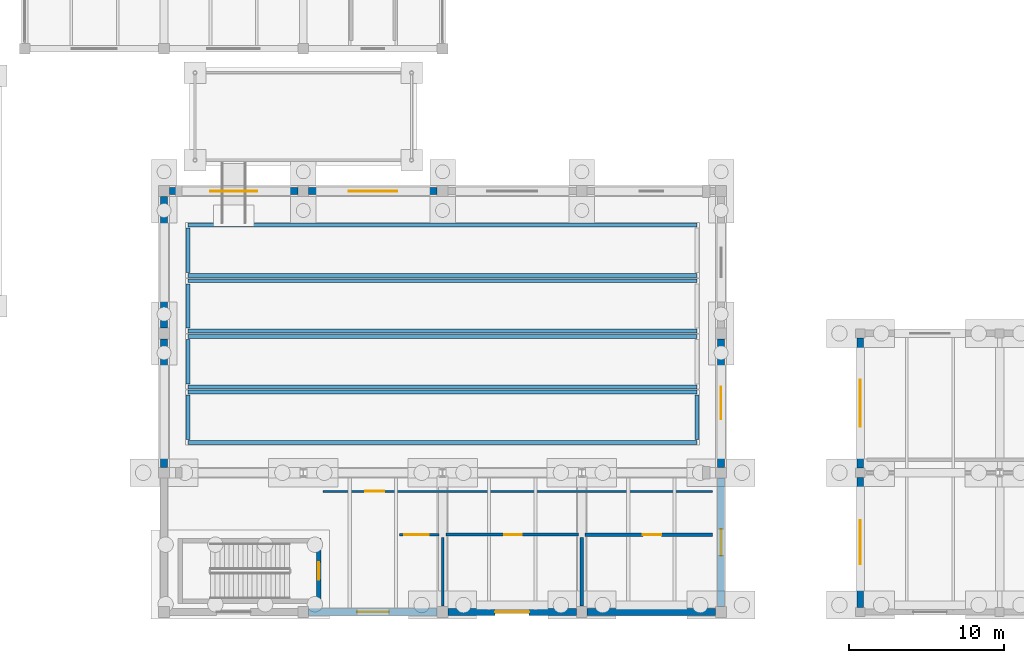
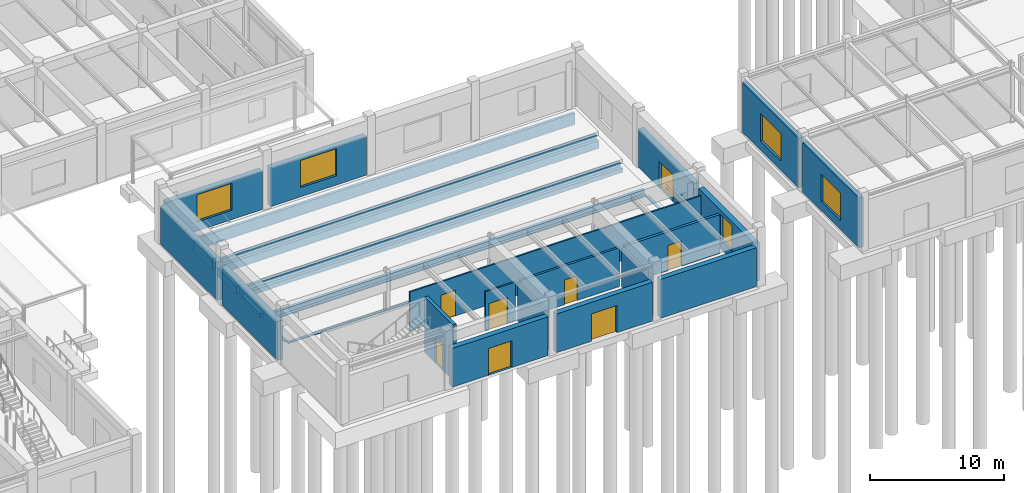
# One storey, part 56 of 76: 31 walls, 8 doors, 5 windows, 13 openings.
"""IFC4 building model written with IfcOpenShell, lengths in metres."""

from ifc_helpers import new_model, si_unit, direction, frame, frame_2d, origin, place, context, subcontext, project, spatial, rectangle, extrude, material, layer, layer_set, type_object, element, fill, save


model = new_model("IFC4")

# Units and contexts
model_context = context("Model", 3, precision=1e-05, world=origin(), true_north=direction((0.0, 1.0)))
body_context = subcontext(model_context, "Body", "Model", "MODEL_VIEW")
ifc_project = project(units=[si_unit("LENGTHUNIT", "METRE"), si_unit("AREAUNIT", "SQUARE_METRE"), si_unit("VOLUMEUNIT", "CUBIC_METRE"), si_unit("PLANEANGLEUNIT", "RADIAN"), si_unit("MASSUNIT", "GRAM", prefix="KILO")], contexts=[model_context])

# Site, building, storey
site_placement = place(None, origin())
site = spatial("IfcSite", under=ifc_project, at=site_placement, CompositionType="ELEMENT")
building_placement = place(site_placement, origin())
building = spatial("IfcBuilding", under=site, at=building_placement, Name="Bozkorgan Art Gallery", CompositionType="ELEMENT")
storey_placement = place(building_placement, origin())
storey = spatial("IfcBuildingStorey", under=building, at=storey_placement, Name="L00", CompositionType="ELEMENT", Elevation=0.0)

# Wall, opening, door
ifc_material_1 = material(Name="Concrete C40/50", Category="concrete")
ifc_layer_1 = layer(ifc_material_1, 0.300048828125, Name="Concrete C40/50")
ifc_layer_set_1 = layer_set([ifc_layer_1], Name="Concrete C40/50")
wall_type_1 = type_object("IfcWallType", Name="IWALL-CW-44", PredefinedType="SHEAR", material=ifc_layer_set_1)
wall_1_placement = place(storey_placement, frame((93.0, 2.550048828125, 0.0), z_axis=(0.0, 0.0, 1.0), x_axis=(0.0, 1.0, 0.0)))
wall_1 = element("IfcWall", 1, at=wall_1_placement, inside=storey, type_object=wall_type_1, Name="CORE6 L00 stair core east shear wall", PredefinedType="SHEAR", context=body_context, shape_type="SweptSolid", body=[
    extrude(rectangle(XDim=4.199951171875, YDim=0.300048828125, at=frame_2d((2.10009765625, 0.0))), origin(), (0.0, 0.0, 1.0), 5.06005859375),
])
opening_1_placement = place(wall_1_placement, frame((2.6748046875, 0.0, 0.0), z_axis=(0.0, 0.0, 1.0), x_axis=(-1.0, 0.0, 0.0)))
opening_1 = element("IfcOpeningElement", 2, at=opening_1_placement, cuts=wall_1, Name="Opening SD-41", PredefinedType="OPENING", context=body_context, shape_type="SweptSolid", body=[
    extrude(rectangle(XDim=1.14990234375, YDim=2.199951171875, at=frame_2d((0.574951171875, 1.10009765625))), frame((0.0, 0.16015625, 0.0), z_axis=(0.0, -1.0, 0.0), x_axis=(1.0, 0.0, 0.0)), (0.0, 0.0, 1.0), 0.320068359375),
])
ifc_material_2 = material(Name="Steel S355J2", Category="steel")
door_type_1 = type_object("IfcDoorType", Name="IDOOR-SD-41", OperationType="NOTDEFINED", PredefinedType="DOOR", material=ifc_material_2)
door_1_placement = place(opening_1_placement, origin())
door_1 = element("IfcDoor", 3, at=door_1_placement, inside=storey, type_object=door_type_1, Name="ST6 L00 Fire Stair Door", OperationType="SINGLE_SWING_LEFT", OverallHeight=2.199951171875, OverallWidth=1.14990234375, PredefinedType="DOOR", context=body_context, shape_type="SweptSolid", body=[
    extrude(rectangle(XDim=1.14990234375, YDim=2.199951171875, at=frame_2d((0.574951171875, 1.10009765625))), frame((0.0, 0.02490234375, 0.0), z_axis=(0.0, -1.0, 0.0), x_axis=(1.0, 0.0, 0.0)), (0.0, 0.0, 1.0), 0.050048828125),
])
fill(opening_1, door_1)

ifc_material_3 = material(Name="Acoustic Gypsum & Mineral Wool Partition")
ifc_layer_2 = layer(ifc_material_3, 0.22998046875, Name="Acoustic Gypsum & Mineral Wool Partition")
ifc_layer_set_2 = layer_set([ifc_layer_2], Name="Acoustic Gypsum & Mineral Wool Partition")
wall_type_2 = type_object("IfcWallType", Name="IWALL-PR-08", PredefinedType="PARTITIONING", material=ifc_layer_set_2)
wall_2_placement = place(storey_placement, frame((110.219970703125, 7.0, 0.0), z_axis=(0.0, 0.0, 1.0), x_axis=(1.0, 0.0, 0.0)))
wall_2 = element("IfcWall", 4, at=wall_2_placement, inside=storey, type_object=wall_type_2, Name="V3 L00 acoustic partition wall 167", PredefinedType="PARTITIONING", context=body_context, shape_type="SweptSolid", body=[
    extrude(rectangle(XDim=8.239990234375, YDim=0.22998046875, at=frame_2d((4.1201171875, 0.0))), origin(), (0.0, 0.0, 1.0), 3.544921875),
])
opening_2_placement = place(wall_2_placement, frame((3.720703125, 0.0, 0.0)))
opening_2 = element("IfcOpeningElement", 5, at=opening_2_placement, cuts=wall_2, Name="Opening FD-05", PredefinedType="OPENING", context=body_context, shape_type="SweptSolid", body=[
    extrude(rectangle(XDim=1.199951171875, YDim=2.300048828125, at=frame_2d((0.60009765625, 1.14990234375))), frame((0.0, 0.125, 0.0), z_axis=(0.0, -1.0, 0.0), x_axis=(1.0, 0.0, 0.0)), (0.0, 0.0, 1.0), 0.25),
])
ifc_material_4 = material(Name="Oiled European Oak Joinery")
door_type_2 = type_object("IfcDoorType", Name="IDOOR-FD-05", OperationType="NOTDEFINED", PredefinedType="DOOR", material=ifc_material_4)
door_2_placement = place(opening_2_placement, origin())
door_2 = element("IfcDoor", 6, at=door_2_placement, inside=storey, type_object=door_type_2, Name="AV Interpretation Booth Door", OperationType="SINGLE_SWING_RIGHT", OverallHeight=2.300048828125, OverallWidth=1.199951171875, PredefinedType="DOOR", context=body_context, shape_type="SweptSolid", body=[
    extrude(rectangle(XDim=1.199951171875, YDim=2.300048828125, at=frame_2d((0.60009765625, 1.14990234375))), frame((0.0, 0.02490234375, 0.0), z_axis=(0.0, -1.0, 0.0), x_axis=(1.0, 0.0, 0.0)), (0.0, 0.0, 1.0), 0.050048828125),
])
fill(opening_2, door_2)

ifc_layer_3 = layer(ifc_material_3, 0.14990234375, Name="Acoustic Gypsum & Mineral Wool Partition")
ifc_layer_set_3 = layer_set([ifc_layer_3], Name="Acoustic Gypsum & Mineral Wool Partition")
wall_type_3 = type_object("IfcWallType", Name="IWALL-PR-55", PredefinedType="PARTITIONING", material=ifc_layer_set_3)
wall_3_placement = place(storey_placement, frame((98.219970703125, 7.0, 0.0), z_axis=(0.0, 0.0, 1.0), x_axis=(1.0, 0.0, 0.0)))
wall_3 = element("IfcWall", 7, at=wall_3_placement, inside=storey, type_object=wall_type_3, Name="V3 L00 acoustic partition wall 163", PredefinedType="PARTITIONING", context=body_context, shape_type="SweptSolid", body=[
    extrude(rectangle(XDim=2.56005859375, YDim=0.14990234375, at=frame_2d((1.280029296875, 0.0))), origin(), (0.0, 0.0, 1.0), 3.544921875),
])
opening_3_placement = place(wall_3_placement, frame((0.300048828125, 0.0, 0.0)))
opening_3 = element("IfcOpeningElement", 8, at=opening_3_placement, cuts=wall_3, Name="Opening GD-25", PredefinedType="OPENING", context=body_context, shape_type="SweptSolid", body=[
    extrude(rectangle(XDim=1.580078125, YDim=2.3798828125, at=frame_2d((0.7900390625, 1.18994140625))), frame((0.0, 0.0849609375, 0.0), z_axis=(0.0, -1.0, 0.0), x_axis=(1.0, 0.0, 0.0)), (0.0, 0.0, 1.0), 0.169921875),
])
door_type_3 = type_object("IfcDoorType", Name="IDOOR-GD-25", OperationType="NOTDEFINED", PredefinedType="DOOR", material=ifc_material_4)
door_3_placement = place(opening_3_placement, origin())
door_3 = element("IfcDoor", 9, at=door_3_placement, inside=storey, type_object=door_type_3, Name="Auditorium Stalls Door", OperationType="DOUBLE_DOOR_SINGLE_SWING", OverallHeight=2.3798828125, OverallWidth=1.580078125, PredefinedType="DOOR", context=body_context, shape_type="SweptSolid", body=[
    extrude(rectangle(XDim=1.580078125, YDim=2.3798828125, at=frame_2d((0.7900390625, 1.18994140625))), frame((0.0, 0.02490234375, 0.0), z_axis=(0.0, -1.0, 0.0), x_axis=(1.0, 0.0, 0.0)), (0.0, 0.0, 1.0), 0.050048828125),
])
fill(opening_3, door_3)

ifc_layer_4 = layer(ifc_material_3, 0.18994140625, Name="Acoustic Gypsum & Mineral Wool Partition")
ifc_layer_set_4 = layer_set([ifc_layer_4], Name="Acoustic Gypsum & Mineral Wool Partition")
wall_type_4 = type_object("IfcWallType", Name="IWALL-PR-66", PredefinedType="PARTITIONING", material=ifc_layer_set_4)
wall_4_placement = place(storey_placement, frame((101.219970703125, 7.0, 0.0), z_axis=(0.0, 0.0, 1.0), x_axis=(1.0, 0.0, 0.0)))
wall_4 = element("IfcWall", 10, at=wall_4_placement, inside=storey, type_object=wall_type_4, Name="V3 L00 acoustic partition wall 165", PredefinedType="PARTITIONING", context=body_context, shape_type="SweptSolid", body=[
    extrude(rectangle(XDim=8.56005859375, YDim=0.18994140625, at=frame_2d((4.280029296875, 0.0))), origin(), (0.0, 0.0, 1.0), 3.544921875),
])
opening_4_placement = place(wall_4_placement, frame((3.780029296875, 0.0, 0.0)))
opening_4 = element("IfcOpeningElement", 11, at=opening_4_placement, cuts=wall_4, Name="Opening FD-89", PredefinedType="OPENING", context=body_context, shape_type="SweptSolid", body=[
    extrude(rectangle(XDim=1.1201171875, YDim=2.260009765625, at=frame_2d((0.56005859375, 1.1298828125))), frame((0.0, 0.10498046875, 0.0), z_axis=(0.0, -1.0, 0.0), x_axis=(1.0, 0.0, 0.0)), (0.0, 0.0, 1.0), 0.2099609375),
])
door_type_4 = type_object("IfcDoorType", Name="IDOOR-FD-89", OperationType="NOTDEFINED", PredefinedType="DOOR", material=ifc_material_4)
door_4_placement = place(opening_4_placement, origin())
door_4 = element("IfcDoor", 12, at=door_4_placement, inside=storey, type_object=door_type_4, Name="Stage Backstage Greenroom Door", OperationType="SINGLE_SWING_LEFT", OverallHeight=2.260009765625, OverallWidth=1.1201171875, PredefinedType="DOOR", context=body_context, shape_type="SweptSolid", body=[
    extrude(rectangle(XDim=1.1201171875, YDim=2.260009765625, at=frame_2d((0.56005859375, 1.1298828125))), frame((0.0, 0.02490234375, 0.0), z_axis=(0.0, -1.0, 0.0), x_axis=(1.0, 0.0, 0.0)), (0.0, 0.0, 1.0), 0.050048828125),
])
fill(opening_4, door_4)

ifc_layer_5 = layer(ifc_material_3, 0.1298828125, Name="Acoustic Gypsum & Mineral Wool Partition")
ifc_layer_set_5 = layer_set([ifc_layer_5], Name="Acoustic Gypsum & Mineral Wool Partition")
wall_type_5 = type_object("IfcWallType", Name="IWALL-PR-76", PredefinedType="PARTITIONING", material=ifc_layer_set_5)
wall_5_placement = place(storey_placement, frame((93.280029296875, 9.800048828125, 0.0), z_axis=(0.0, 0.0, 1.0), x_axis=(1.0, 0.0, 0.0)))
wall_5 = element("IfcWall", 13, at=wall_5_placement, inside=storey, type_object=wall_type_5, Name="V3 L00 acoustic partition wall 168", PredefinedType="PARTITIONING", context=body_context, shape_type="SweptSolid", body=[
    extrude(rectangle(XDim=25.179931640625, YDim=0.1298828125, at=frame_2d((12.58984375, 0.0))), origin(), (0.0, 0.0, 1.0), 3.544921875),
])
opening_5_placement = place(wall_5_placement, frame((3.95849609375, 0.0, 0.0), z_axis=(0.0, 0.0, 1.0), x_axis=(-1.0, 0.0, 0.0)))
opening_5 = element("IfcOpeningElement", 14, at=opening_5_placement, cuts=wall_5, Name="Opening FD-40", PredefinedType="OPENING", context=body_context, shape_type="SweptSolid", body=[
    extrude(rectangle(XDim=1.239990234375, YDim=2.320068359375, at=frame_2d((0.6201171875, 1.16015625))), frame((0.0, 0.074951171875, 0.0), z_axis=(0.0, -1.0, 0.0), x_axis=(1.0, 0.0, 0.0)), (0.0, 0.0, 1.0), 0.14990234375),
])
door_type_5 = type_object("IfcDoorType", Name="IDOOR-FD-40", OperationType="NOTDEFINED", PredefinedType="DOOR", material=ifc_material_4)
door_5_placement = place(opening_5_placement, origin())
door_5 = element("IfcDoor", 15, at=door_5_placement, inside=storey, type_object=door_type_5, Name="Chamber Recital Foyer Door", OperationType="SINGLE_SWING_LEFT", OverallHeight=2.320068359375, OverallWidth=1.239990234375, PredefinedType="DOOR", context=body_context, shape_type="SweptSolid", body=[
    extrude(rectangle(XDim=1.239990234375, YDim=2.320068359375, at=frame_2d((0.6201171875, 1.16015625))), frame((0.0, 0.02490234375, 0.0), z_axis=(0.0, -1.0, 0.0), x_axis=(1.0, 0.0, 0.0)), (0.0, 0.0, 1.0), 0.050048828125),
])
fill(opening_5, door_5)

# Walls
ifc_layer_6 = layer(ifc_material_3, 0.169921875, Name="Acoustic Gypsum & Mineral Wool Partition")
ifc_layer_set_6 = layer_set([ifc_layer_6], Name="Acoustic Gypsum & Mineral Wool Partition")
wall_type_6 = type_object("IfcWallType", Name="IWALL-PW-02", PredefinedType="PARTITIONING", material=ifc_layer_set_6)
wall_6_placement = place(storey_placement, frame((101.0, 2.39990234375, 0.0), z_axis=(0.0, 0.0, 1.0), x_axis=(0.0, 1.0, 0.0)))
element("IfcWall", 16, at=wall_6_placement, inside=storey, type_object=wall_type_6, Name="V3 L00 acoustic partition wall 164", PredefinedType="PARTITIONING", context=body_context, shape_type="SweptSolid", body=[
    extrude(rectangle(XDim=4.400146484375, YDim=0.169921875, at=frame_2d((2.2001953125, 0.0))), origin(), (0.0, 0.0, 1.0), 3.544921875),
])
ifc_layer_7 = layer(ifc_material_3, 0.2099609375, Name="Acoustic Gypsum & Mineral Wool Partition")
ifc_layer_set_7 = layer_set([ifc_layer_7], Name="Acoustic Gypsum & Mineral Wool Partition")
wall_type_7 = type_object("IfcWallType", Name="IWALL-PW-72", PredefinedType="PARTITIONING", material=ifc_layer_set_7)
wall_7_placement = place(storey_placement, frame((110.0, 2.39990234375, 0.0), z_axis=(0.0, 0.0, 1.0), x_axis=(0.0, 1.0, 0.0)))
element("IfcWall", 17, at=wall_7_placement, inside=storey, type_object=wall_type_7, Name="V3 L00 acoustic partition wall 166", PredefinedType="PARTITIONING", context=body_context, shape_type="SweptSolid", body=[
    extrude(rectangle(XDim=4.400146484375, YDim=0.2099609375, at=frame_2d((2.2001953125, 0.0))), origin(), (0.0, 0.0, 1.0), 3.544921875),
])
ifc_material_5 = material(Name="Concrete C35/45", Category="concrete")
ifc_layer_8 = layer(ifc_material_5, 0.25, Name="Concrete C35/45")
ifc_layer_set_8 = layer_set([ifc_layer_8], Name="Concrete C35/45")
wall_type_8 = type_object("IfcWallType", Name="WALL-AUD-SLP", PredefinedType="SOLIDWALL", material=ifc_layer_set_8)
for number, where, z_axis, x_axis, name in (
    (18, (84.550048828125, 12.949951171875, 0.0), (0.0, 0.0, 1.0), (1.0, 0.0, 0.0), "Auditorium tier 1 RC sleeper wall S"),
    (19, (84.550048828125, 16.2099609375, 0.0), (0.0, 0.0, 1.0), (1.0, 0.0, 0.0), "Auditorium tier 1 RC sleeper wall N"),
):
    element("IfcWall", number, at=place(storey_placement, frame(where, z_axis=z_axis, x_axis=x_axis)), inside=storey, type_object=wall_type_8, Name=name, PredefinedType="SOLIDWALL", context=body_context, shape_type="SweptSolid", body=[
        extrude(rectangle(XDim=32.89990234375, YDim=0.25, at=frame_2d((16.449951171875, 0.0))), origin(), (0.0, 0.0, 1.0), 0.080078125),
    ])
for number, where, z_axis, x_axis, name in (
    (20, (84.550048828125, 13.14990234375, 0.0), (0.0, 0.0, 1.0), (0.0, 1.0, 0.0), "Auditorium tier 1 RC sleeper wall W"),
    (21, (117.449951171875, 13.14990234375, 0.0), (0.0, 0.0, 1.0), (0.0, 1.0, 0.0), "Auditorium tier 1 RC sleeper wall E"),
):
    element("IfcWall", number, at=place(storey_placement, frame(where, z_axis=z_axis, x_axis=x_axis)), inside=storey, type_object=wall_type_8, Name=name, PredefinedType="SOLIDWALL", context=body_context, shape_type="SweptSolid", body=[
        extrude(rectangle(XDim=2.860107421875, YDim=0.25, at=frame_2d((1.43017578125, 0.0))), origin(), (0.0, 0.0, 1.0), 0.080078125),
    ])
for number, where, z_axis, x_axis, name in (
    (22, (84.550048828125, 16.550048828125, 0.0), (0.0, 0.0, 1.0), (1.0, 0.0, 0.0), "Auditorium tier 2 RC sleeper wall S"),
    (23, (84.550048828125, 19.81005859375, 0.0), (0.0, 0.0, 1.0), (1.0, 0.0, 0.0), "Auditorium tier 2 RC sleeper wall N"),
):
    element("IfcWall", number, at=place(storey_placement, frame(where, z_axis=z_axis, x_axis=x_axis)), inside=storey, type_object=wall_type_8, Name=name, PredefinedType="SOLIDWALL", context=body_context, shape_type="SweptSolid", body=[
        extrude(rectangle(XDim=32.89990234375, YDim=0.25, at=frame_2d((16.449951171875, 0.0))), origin(), (0.0, 0.0, 1.0), 0.39990234375),
    ])
wall_8_placement = place(storey_placement, frame((84.550048828125, 16.75, 0.0), z_axis=(0.0, 0.0, 1.0), x_axis=(0.0, 1.0, 0.0)))
element("IfcWall", 24, at=wall_8_placement, inside=storey, type_object=wall_type_8, Name="Auditorium tier 2 RC sleeper wall W", PredefinedType="SOLIDWALL", context=body_context, shape_type="SweptSolid", body=[
    extrude(rectangle(XDim=2.860107421875, YDim=0.25, at=frame_2d((1.43017578125, 0.0))), origin(), (0.0, 0.0, 1.0), 0.39990234375),
])
for number, where, z_axis, x_axis, name in (
    (25, (84.550048828125, 20.14990234375, 0.0), (0.0, 0.0, 1.0), (1.0, 0.0, 0.0), "Auditorium tier 3 RC sleeper wall S"),
    (26, (84.550048828125, 23.409912109375, 0.0), (0.0, 0.0, 1.0), (1.0, 0.0, 0.0), "Auditorium tier 3 RC sleeper wall N"),
):
    element("IfcWall", number, at=place(storey_placement, frame(where, z_axis=z_axis, x_axis=x_axis)), inside=storey, type_object=wall_type_8, Name=name, PredefinedType="SOLIDWALL", context=body_context, shape_type="SweptSolid", body=[
        extrude(rectangle(XDim=32.89990234375, YDim=0.25, at=frame_2d((16.449951171875, 0.0))), origin(), (0.0, 0.0, 1.0), 0.719970703125),
    ])
wall_9_placement = place(storey_placement, frame((84.550048828125, 20.35009765625, 0.0), z_axis=(0.0, 0.0, 1.0), x_axis=(0.0, 1.0, 0.0)))
element("IfcWall", 27, at=wall_9_placement, inside=storey, type_object=wall_type_8, Name="Auditorium tier 3 RC sleeper wall W", PredefinedType="SOLIDWALL", context=body_context, shape_type="SweptSolid", body=[
    extrude(rectangle(XDim=2.85986328125, YDim=0.25, at=frame_2d((1.429931640625, 0.0))), origin(), (0.0, 0.0, 1.0), 0.719970703125),
])
for number, where, z_axis, x_axis, name in (
    (28, (84.550048828125, 23.75, 0.0), (0.0, 0.0, 1.0), (1.0, 0.0, 0.0), "Auditorium tier 4 RC sleeper wall S"),
    (29, (84.550048828125, 27.010009765625, 0.0), (0.0, 0.0, 1.0), (1.0, 0.0, 0.0), "Auditorium tier 4 RC sleeper wall N"),
):
    element("IfcWall", number, at=place(storey_placement, frame(where, z_axis=z_axis, x_axis=x_axis)), inside=storey, type_object=wall_type_8, Name=name, PredefinedType="SOLIDWALL", context=body_context, shape_type="SweptSolid", body=[
        extrude(rectangle(XDim=32.89990234375, YDim=0.25, at=frame_2d((16.449951171875, 0.0))), origin(), (0.0, 0.0, 1.0), 1.0400390625),
    ])
wall_10_placement = place(storey_placement, frame((84.550048828125, 23.949951171875, 0.0), z_axis=(0.0, 0.0, 1.0), x_axis=(0.0, 1.0, 0.0)))
element("IfcWall", 30, at=wall_10_placement, inside=storey, type_object=wall_type_8, Name="Auditorium tier 4 RC sleeper wall W", PredefinedType="SOLIDWALL", context=body_context, shape_type="SweptSolid", body=[
    extrude(rectangle(XDim=2.860107421875, YDim=0.25, at=frame_2d((1.43017578125, 0.0))), origin(), (0.0, 0.0, 1.0), 1.0400390625),
])

# Wall, opening, door
ifc_material_6 = material(Name="Kordai Rose Granite Ashlar", Category="masonry")
ifc_layer_9 = layer(ifc_material_6, 0.449951171875, Name="Kordai Rose Granite Ashlar")
ifc_layer_set_9 = layer_set([ifc_layer_9], Name="Kordai Rose Granite Ashlar")
wall_type_9 = type_object("IfcWallType", Name="WALL-EA-38", PredefinedType="STANDARD", material=ifc_layer_set_9)
wall_11_placement = place(storey_placement, frame((92.35009765625, 2.0, 0.0), z_axis=(0.0, 0.0, 1.0), x_axis=(1.0, 0.0, 0.0)))
wall_11 = element("IfcWall", 31, at=wall_11_placement, inside=storey, type_object=wall_type_9, Name="V3 L00 entrance portal wall (ED14)", PredefinedType="STANDARD", context=body_context, shape_type="SweptSolid", body=[
    extrude(rectangle(XDim=8.2998046875, YDim=0.449951171875, at=frame_2d((4.14990234375, 0.0))), origin(), (0.0, 0.0, 1.0), 3.544921875),
])
opening_6_placement = place(wall_11_placement, frame((5.175048828125, 0.0, 0.0), z_axis=(0.0, 0.0, 1.0), x_axis=(-1.0, 0.0, 0.0)))
opening_6 = element("IfcOpeningElement", 32, at=opening_6_placement, cuts=wall_11, Name="Opening ED-19", PredefinedType="OPENING", context=body_context, shape_type="SweptSolid", body=[
    extrude(rectangle(XDim=2.050048828125, YDim=2.449951171875, at=frame_2d((1.02490234375, 1.22509765625))), frame((0.0, 0.23486328125, 0.0), z_axis=(0.0, -1.0, 0.0), x_axis=(1.0, 0.0, 0.0)), (0.0, 0.0, 1.0), 0.469970703125),
])
ifc_material_7 = material(Name="Anodised Bronze Aluminium", Category="aluminium")
door_type_6 = type_object("IfcDoorType", Name="DOOR-ED-19", OperationType="NOTDEFINED", PredefinedType="DOOR", material=ifc_material_7)
door_6_placement = place(opening_6_placement, origin())
door_6 = element("IfcDoor", 33, at=door_6_placement, inside=storey, type_object=door_type_6, Name="ED14 Final Exit Portal Door", OperationType="DOUBLE_DOOR_SINGLE_SWING", OverallHeight=2.449951171875, OverallWidth=2.050048828125, PredefinedType="DOOR", context=body_context, shape_type="SweptSolid", body=[
    extrude(rectangle(XDim=2.050048828125, YDim=2.449951171875, at=frame_2d((1.02490234375, 1.22509765625))), frame((0.0, 0.02490234375, 0.0), z_axis=(0.0, -1.0, 0.0), x_axis=(1.0, 0.0, 0.0)), (0.0, 0.0, 1.0), 0.050048828125),
])
fill(opening_6, door_6)

wall_12_placement = place(storey_placement, frame((101.35009765625, 2.0, 0.0), z_axis=(0.0, 0.0, 1.0), x_axis=(1.0, 0.0, 0.0)))
wall_12 = element("IfcWall", 34, at=wall_12_placement, inside=storey, type_object=wall_type_9, Name="V3 L00 entrance portal wall (ED12)", PredefinedType="STANDARD", context=body_context, shape_type="SweptSolid", body=[
    extrude(rectangle(XDim=8.2998046875, YDim=0.449951171875, at=frame_2d((4.14990234375, 0.0))), origin(), (0.0, 0.0, 1.0), 3.544921875),
])
opening_7_placement = place(wall_12_placement, frame((5.25, 0.0, 0.0), z_axis=(0.0, 0.0, 1.0), x_axis=(-1.0, 0.0, 0.0)))
opening_7 = element("IfcOpeningElement", 35, at=opening_7_placement, cuts=wall_12, Name="Opening ED-97", PredefinedType="OPENING", context=body_context, shape_type="SweptSolid", body=[
    extrude(rectangle(XDim=2.199951171875, YDim=2.5, at=frame_2d((1.10009765625, 1.25))), frame((0.0, 0.23486328125, 0.0), z_axis=(0.0, -1.0, 0.0), x_axis=(1.0, 0.0, 0.0)), (0.0, 0.0, 1.0), 0.469970703125),
])
door_type_7 = type_object("IfcDoorType", Name="DOOR-ED-97", OperationType="NOTDEFINED", PredefinedType="DOOR", material=ifc_material_7)
door_7_placement = place(opening_7_placement, origin())
door_7 = element("IfcDoor", 36, at=door_7_placement, inside=storey, type_object=door_type_7, Name="ED12 Final Exit Portal Door", OperationType="DOUBLE_DOOR_SINGLE_SWING", OverallHeight=2.5, OverallWidth=2.199951171875, PredefinedType="DOOR", context=body_context, shape_type="SweptSolid", body=[
    extrude(rectangle(XDim=2.199951171875, YDim=2.5, at=frame_2d((1.10009765625, 1.25))), frame((0.0, 0.02490234375, 0.0), z_axis=(0.0, -1.0, 0.0), x_axis=(1.0, 0.0, 0.0)), (0.0, 0.0, 1.0), 0.050048828125),
])
fill(opening_7, door_7)

wall_13_placement = place(storey_placement, frame((119.0, 11.35009765625, 0.0), z_axis=(0.0, 0.0, 1.0), x_axis=(0.0, 1.0, 0.0)))
wall_13 = element("IfcWall", 37, at=wall_13_placement, inside=storey, type_object=wall_type_9, Name="V3 L00 entrance portal wall (ED06)", PredefinedType="STANDARD", context=body_context, shape_type="SweptSolid", body=[
    extrude(rectangle(XDim=8.2998046875, YDim=0.449951171875, at=frame_2d((4.14990234375, 0.0))), origin(), (0.0, 0.0, 1.0), 3.544921875),
])
opening_8_placement = place(wall_13_placement, frame((5.2001953125, 0.0, 0.0), z_axis=(0.0, 0.0, 1.0), x_axis=(-1.0, 0.0, 0.0)))
opening_8 = element("IfcOpeningElement", 38, at=opening_8_placement, cuts=wall_13, Name="Opening ED-35", PredefinedType="OPENING", context=body_context, shape_type="SweptSolid", body=[
    extrude(rectangle(XDim=2.10009765625, YDim=2.449951171875, at=frame_2d((1.050048828125, 1.22509765625))), frame((0.0, 0.23486328125, 0.0), z_axis=(0.0, -1.0, 0.0), x_axis=(1.0, 0.0, 0.0)), (0.0, 0.0, 1.0), 0.469970703125),
])
door_type_8 = type_object("IfcDoorType", Name="DOOR-ED-35", OperationType="NOTDEFINED", PredefinedType="DOOR", material=ifc_material_7)
door_8_placement = place(opening_8_placement, origin())
door_8 = element("IfcDoor", 39, at=door_8_placement, inside=storey, type_object=door_type_8, Name="ED06 Final Exit Portal Door", OperationType="DOUBLE_DOOR_SINGLE_SWING", OverallHeight=2.449951171875, OverallWidth=2.10009765625, PredefinedType="DOOR", context=body_context, shape_type="SweptSolid", body=[
    extrude(rectangle(XDim=2.10009765625, YDim=2.449951171875, at=frame_2d((1.050048828125, 1.22509765625))), frame((0.0, 0.02490234375, 0.0), z_axis=(0.0, -1.0, 0.0), x_axis=(1.0, 0.0, 0.0)), (0.0, 0.0, 1.0), 0.050048828125),
])
fill(opening_8, door_8)

# Wall, opening, window
ifc_layer_10 = layer(ifc_material_6, 0.449951171875, Name="Kordai Rose Granite Ashlar")
ifc_layer_set_10 = layer_set([ifc_layer_10], Name="Kordai Rose Granite Ashlar")
wall_type_10 = type_object("IfcWallType", Name="WALL-WA-47", PredefinedType="STANDARD", material=ifc_layer_set_10)
wall_14_placement = place(storey_placement, frame((83.35009765625, 29.199951171875, 0.0), z_axis=(0.0, 0.0, 1.0), x_axis=(1.0, 0.0, 0.0)))
wall_14 = element("IfcWall", 40, at=wall_14_placement, inside=storey, type_object=wall_type_10, Name="V3 L00 exterior facade wall 1N-2", PredefinedType="STANDARD", context=body_context, shape_type="SweptSolid", body=[
    extrude(rectangle(XDim=8.2998046875, YDim=0.449951171875, at=frame_2d((4.14990234375, 0.0))), origin(), (0.0, 0.0, 1.0), 3.544921875),
])
opening_9_placement = place(wall_14_placement, frame((2.625, 0.0, 0.85009765625)))
opening_9 = element("IfcOpeningElement", 41, at=opening_9_placement, cuts=wall_14, Name="Opening WN-31", PredefinedType="OPENING", context=body_context, shape_type="SweptSolid", body=[
    extrude(rectangle(XDim=3.050048828125, YDim=2.469970703125, at=frame_2d((1.52490234375, 1.23486328125))), frame((0.0, 0.23486328125, 0.0), z_axis=(0.0, -1.0, 0.0), x_axis=(1.0, 0.0, 0.0)), (0.0, 0.0, 1.0), 0.469970703125),
])
ifc_material_8 = material(Name="Triple Low-E Laminated Glass", Category="glass")
window_type_1 = type_object("IfcWindowType", Name="WIN-WN-31", PartitioningType="SINGLE_PANEL", PredefinedType="WINDOW", material=ifc_material_8)
window_1_placement = place(opening_9_placement, origin())
window_1 = element("IfcWindow", 42, at=window_1_placement, inside=storey, type_object=window_type_1, Name="V3 L00 gallery window 1N-2", OverallHeight=2.469970703125, OverallWidth=3.050048828125, PartitioningType="SINGLE_PANEL", PredefinedType="WINDOW", context=body_context, shape_type="SweptSolid", body=[
    extrude(rectangle(XDim=3.050048828125, YDim=2.469970703125, at=frame_2d((1.52490234375, 1.23486328125))), frame((0.0, 0.030029296875, 0.0), z_axis=(0.0, -1.0, 0.0), x_axis=(1.0, 0.0, 0.0)), (0.0, 0.0, 1.0), 0.06005859375),
])
fill(opening_9, window_1)

wall_15_placement = place(storey_placement, frame((92.35009765625, 29.199951171875, 0.0), z_axis=(0.0, 0.0, 1.0), x_axis=(1.0, 0.0, 0.0)))
wall_15 = element("IfcWall", 43, at=wall_15_placement, inside=storey, type_object=wall_type_10, Name="V3 L00 exterior facade wall 1N-4", PredefinedType="STANDARD", context=body_context, shape_type="SweptSolid", body=[
    extrude(rectangle(XDim=8.2998046875, YDim=0.449951171875, at=frame_2d((4.14990234375, 0.0))), origin(), (0.0, 0.0, 1.0), 3.544921875),
])
opening_10_placement = place(wall_15_placement, frame((2.574951171875, 0.0, 0.85009765625)))
opening_10 = element("IfcOpeningElement", 44, at=opening_10_placement, cuts=wall_15, Name="Opening WN-89", PredefinedType="OPENING", context=body_context, shape_type="SweptSolid", body=[
    extrude(rectangle(XDim=3.14990234375, YDim=2.469970703125, at=frame_2d((1.574951171875, 1.23486328125))), frame((0.0, 0.23486328125, 0.0), z_axis=(0.0, -1.0, 0.0), x_axis=(1.0, 0.0, 0.0)), (0.0, 0.0, 1.0), 0.469970703125),
])
window_type_2 = type_object("IfcWindowType", Name="WIN-WN-89", PartitioningType="SINGLE_PANEL", PredefinedType="WINDOW", material=ifc_material_8)
window_2_placement = place(opening_10_placement, origin())
window_2 = element("IfcWindow", 45, at=window_2_placement, inside=storey, type_object=window_type_2, Name="V3 L00 gallery window 1N-4", OverallHeight=2.469970703125, OverallWidth=3.14990234375, PartitioningType="SINGLE_PANEL", PredefinedType="WINDOW", context=body_context, shape_type="SweptSolid", body=[
    extrude(rectangle(XDim=3.14990234375, YDim=2.469970703125, at=frame_2d((1.574951171875, 1.23486328125))), frame((0.0, 0.030029296875, 0.0), z_axis=(0.0, -1.0, 0.0), x_axis=(1.0, 0.0, 0.0)), (0.0, 0.0, 1.0), 0.06005859375),
])
fill(opening_10, window_2)

# Wall
wall_16_placement = place(storey_placement, frame((110.35009765625, 2.0, 0.0), z_axis=(0.0, 0.0, 1.0), x_axis=(1.0, 0.0, 0.0)))
element("IfcWall", 46, at=wall_16_placement, inside=storey, type_object=wall_type_10, Name="V3 L00 exterior facade wall 1S-7", PredefinedType="STANDARD", context=body_context, shape_type="SweptSolid", body=[
    extrude(rectangle(XDim=8.2998046875, YDim=0.449951171875, at=frame_2d((4.14990234375, 0.0))), origin(), (0.0, 0.0, 1.0), 3.544921875),
])

# Wall, opening, window
wall_17_placement = place(storey_placement, frame((119.0, 2.35009765625, 0.0), z_axis=(0.0, 0.0, 1.0), x_axis=(0.0, 1.0, 0.0)))
wall_17 = element("IfcWall", 47, at=wall_17_placement, inside=storey, type_object=wall_type_10, Name="V3 L00 exterior facade wall 1E-10", PredefinedType="STANDARD", context=body_context, shape_type="SweptSolid", body=[
    extrude(rectangle(XDim=8.2998046875, YDim=0.449951171875, at=frame_2d((4.14990234375, 0.0))), origin(), (0.0, 0.0, 1.0), 3.544921875),
])
opening_11_placement = place(wall_17_placement, frame((5.0, 0.0, 0.85009765625), z_axis=(0.0, 0.0, 1.0), x_axis=(-1.0, 0.0, 0.0)))
opening_11 = element("IfcOpeningElement", 48, at=opening_11_placement, cuts=wall_17, Name="Opening WN-58", PredefinedType="OPENING", context=body_context, shape_type="SweptSolid", body=[
    extrude(rectangle(XDim=1.699951171875, YDim=2.300048828125, at=frame_2d((0.85009765625, 1.14990234375))), frame((0.0, 0.23486328125, 0.0), z_axis=(0.0, -1.0, 0.0), x_axis=(1.0, 0.0, 0.0)), (0.0, 0.0, 1.0), 0.469970703125),
])
window_type_3 = type_object("IfcWindowType", Name="WIN-WN-58", PartitioningType="SINGLE_PANEL", PredefinedType="WINDOW", material=ifc_material_8)
window_3_placement = place(opening_11_placement, origin())
window_3 = element("IfcWindow", 49, at=window_3_placement, inside=storey, type_object=window_type_3, Name="V3 L00 gallery window 1E-10", OverallHeight=2.300048828125, OverallWidth=1.699951171875, PartitioningType="SINGLE_PANEL", PredefinedType="WINDOW", context=body_context, shape_type="SweptSolid", body=[
    extrude(rectangle(XDim=1.699951171875, YDim=2.300048828125, at=frame_2d((0.85009765625, 1.14990234375))), frame((0.0, 0.030029296875, 0.0), z_axis=(0.0, -1.0, 0.0), x_axis=(1.0, 0.0, 0.0)), (0.0, 0.0, 1.0), 0.06005859375),
])
fill(opening_11, window_3)

# Walls
wall_18_placement = place(storey_placement, frame((83.0, 11.35009765625, 0.0), z_axis=(0.0, 0.0, 1.0), x_axis=(0.0, 1.0, 0.0)))
element("IfcWall", 50, at=wall_18_placement, inside=storey, type_object=wall_type_10, Name="V3 L00 exterior facade wall 1W-11", PredefinedType="STANDARD", context=body_context, shape_type="SweptSolid", body=[
    extrude(rectangle(XDim=8.2998046875, YDim=0.449951171875, at=frame_2d((4.14990234375, 0.0))), origin(), (0.0, 0.0, 1.0), 3.544921875),
])
wall_19_placement = place(storey_placement, frame((83.0, 20.35009765625, 0.0), z_axis=(0.0, 0.0, 1.0), x_axis=(0.0, 1.0, 0.0)))
element("IfcWall", 51, at=wall_19_placement, inside=storey, type_object=wall_type_10, Name="V3 L00 exterior facade wall 1W-13", PredefinedType="STANDARD", context=body_context, shape_type="SweptSolid", body=[
    extrude(rectangle(XDim=8.5, YDim=0.449951171875, at=frame_2d((4.25, 0.0))), origin(), (0.0, 0.0, 1.0), 3.544921875),
])

# Wall, opening, window
ifc_layer_11 = layer(ifc_material_6, 0.39990234375, Name="Kordai Rose Granite Ashlar")
ifc_layer_set_11 = layer_set([ifc_layer_11], Name="Kordai Rose Granite Ashlar")
wall_type_11 = type_object("IfcWallType", Name="WALL-WG-66", PredefinedType="STANDARD", material=ifc_layer_set_11)
wall_20_placement = place(storey_placement, frame((128.0, 2.300048828125, 0.0), z_axis=(0.0, 0.0, 1.0), x_axis=(0.0, 1.0, 0.0)))
wall_20 = element("IfcWall", 52, at=wall_20_placement, inside=storey, type_object=wall_type_11, Name="V6 L00 exterior facade wall 1W-7", PredefinedType="STANDARD", context=body_context, shape_type="SweptSolid", body=[
    extrude(rectangle(XDim=8.39990234375, YDim=0.39990234375, at=frame_2d((4.199951171875, 0.0))), origin(), (0.0, 0.0, 1.0), 4.554931640625),
])
opening_12_placement = place(wall_20_placement, frame((2.77490234375, 0.0, 0.85009765625)))
opening_12 = element("IfcOpeningElement", 53, at=opening_12_placement, cuts=wall_20, Name="Opening WN-82", PredefinedType="OPENING", context=body_context, shape_type="SweptSolid", body=[
    extrude(rectangle(XDim=2.85009765625, YDim=2.5, at=frame_2d((1.425048828125, 1.25))), frame((0.0, 0.2099609375, 0.0), z_axis=(0.0, -1.0, 0.0), x_axis=(1.0, 0.0, 0.0)), (0.0, 0.0, 1.0), 0.419921875),
])
window_type_4 = type_object("IfcWindowType", Name="WIN-WN-82", PartitioningType="SINGLE_PANEL", PredefinedType="WINDOW", material=ifc_material_8)
window_4_placement = place(opening_12_placement, origin())
window_4 = element("IfcWindow", 54, at=window_4_placement, inside=storey, type_object=window_type_4, Name="V6 L00 gallery window 1W-7", OverallHeight=2.5, OverallWidth=2.85009765625, PartitioningType="SINGLE_PANEL", PredefinedType="WINDOW", context=body_context, shape_type="SweptSolid", body=[
    extrude(rectangle(XDim=2.85009765625, YDim=2.5, at=frame_2d((1.425048828125, 1.25))), frame((0.0, 0.030029296875, 0.0), z_axis=(0.0, -1.0, 0.0), x_axis=(1.0, 0.0, 0.0)), (0.0, 0.0, 1.0), 0.06005859375),
])
fill(opening_12, window_4)

wall_21_placement = place(storey_placement, frame((128.0, 11.300048828125, 0.0), z_axis=(0.0, 0.0, 1.0), x_axis=(0.0, 1.0, 0.0)))
wall_21 = element("IfcWall", 55, at=wall_21_placement, inside=storey, type_object=wall_type_11, Name="V6 L00 exterior facade wall 1W-9", PredefinedType="STANDARD", context=body_context, shape_type="SweptSolid", body=[
    extrude(rectangle(XDim=8.39990234375, YDim=0.39990234375, at=frame_2d((4.199951171875, 0.0))), origin(), (0.0, 0.0, 1.0), 4.554931640625),
])
opening_13_placement = place(wall_21_placement, frame((2.675048828125, 0.0, 0.85009765625)))
opening_13 = element("IfcOpeningElement", 56, at=opening_13_placement, cuts=wall_21, Name="Opening WN-30", PredefinedType="OPENING", context=body_context, shape_type="SweptSolid", body=[
    extrude(rectangle(XDim=3.050048828125, YDim=2.550048828125, at=frame_2d((1.52490234375, 1.27490234375))), frame((0.0, 0.2099609375, 0.0), z_axis=(0.0, -1.0, 0.0), x_axis=(1.0, 0.0, 0.0)), (0.0, 0.0, 1.0), 0.419921875),
])
window_type_5 = type_object("IfcWindowType", Name="WIN-WN-30", PartitioningType="SINGLE_PANEL", PredefinedType="WINDOW", material=ifc_material_8)
window_5_placement = place(opening_13_placement, origin())
window_5 = element("IfcWindow", 57, at=window_5_placement, inside=storey, type_object=window_type_5, Name="V6 L00 gallery window 1W-9", OverallHeight=2.550048828125, OverallWidth=3.050048828125, PartitioningType="SINGLE_PANEL", PredefinedType="WINDOW", context=body_context, shape_type="SweptSolid", body=[
    extrude(rectangle(XDim=3.050048828125, YDim=2.550048828125, at=frame_2d((1.52490234375, 1.27490234375))), frame((0.0, 0.030029296875, 0.0), z_axis=(0.0, -1.0, 0.0), x_axis=(1.0, 0.0, 0.0)), (0.0, 0.0, 1.0), 0.06005859375),
])
fill(opening_13, window_5)

save(model, "model.ifc")
